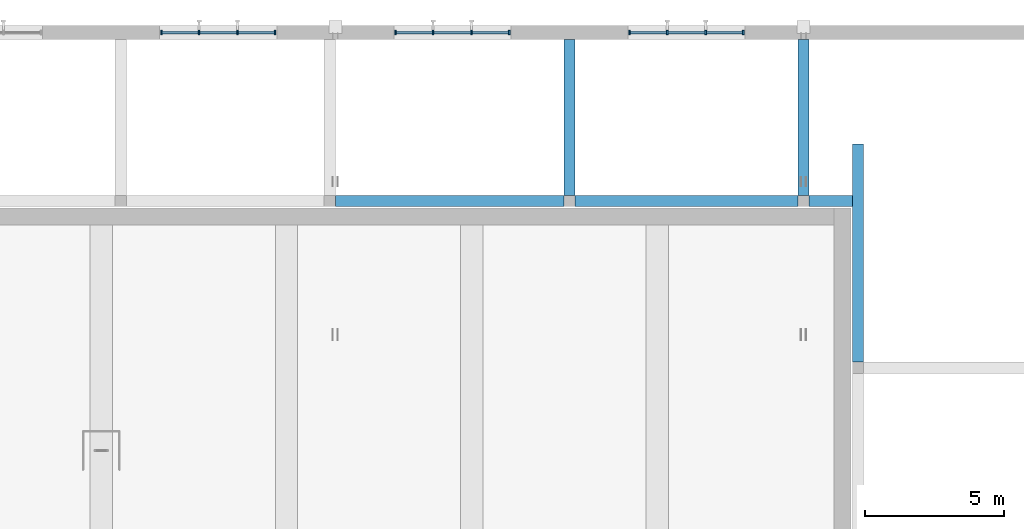
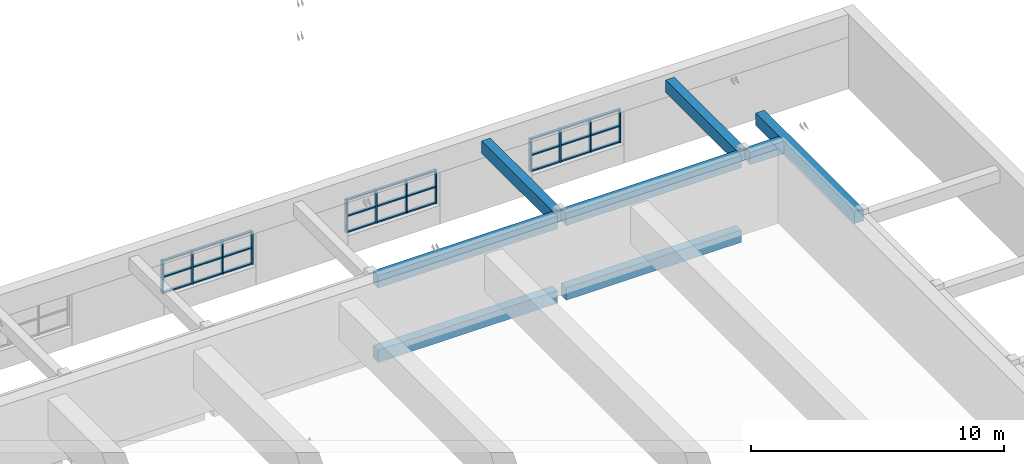
# One storey, part 8 of 28: 39 members, 8 beams, 3 elements without a shape of their own.
"""IFC4 building model written with IfcOpenShell, lengths in metres."""

import ifcopenshell
import ifcopenshell.guid

model = None  # the IFC model being written
_history = None  # IfcOwnerHistory: only IFC2X3 demands one
_inside = {}  # id of a spatial element -> (the spatial element, [elements in it])
_under = {}  # id of a project, library or spatial element -> (it, [spatial elements below it])
_declared = {}  # id of a project -> (the project, [libraries it declares])
_typed = {}  # id of a type object -> (the type object, [elements of that type])
_made_of = {}  # id of a material, layer set ... -> (it, [elements and type objects made of it])


def new_model(schema):
    """Start an empty IFC model of exactly this schema.

    Asked for "IFC4X3", IfcOpenShell would pick the latest addendum, in which some entities
    have other attributes; the version numbers below select the first issue.
    IFC2X3 requires an IfcOwnerHistory on every rooted entity: one is made here for all.
    """
    global model, _history
    if schema == "IFC4X3":
        model = ifcopenshell.file(schema_version=(4, 3, 0, 0))
    else:
        model = ifcopenshell.file(schema=schema)
    _inside.clear()
    _under.clear()
    _declared.clear()
    _typed.clear()
    _made_of.clear()
    _history = None
    if model.schema == "IFC2X3":
        org = make("IfcOrganization", Name="unknown")
        user = make(
            "IfcPersonAndOrganization",
            ThePerson=make("IfcPerson", FamilyName="unknown"),
            TheOrganization=org,
        )
        app = make(
            "IfcApplication",
            ApplicationDeveloper=org,
            Version="unknown",
            ApplicationFullName="unknown",
            ApplicationIdentifier="unknown",
        )
        _history = make(
            "IfcOwnerHistory",
            OwningUser=user,
            OwningApplication=app,
            ChangeAction="ADDED",
            CreationDate=0,
        )
    return model


def make(cls, **values):
    """One entity of the class cls with the attributes given. An attribute that is None is left unset."""
    return model.create_entity(
        cls, **{name: value for name, value in values.items() if value is not None}
    )


def rooted(cls, **values):
    """An entity with a GlobalId (a new one), such as an element, a storey or a relation."""
    return make(cls, GlobalId=ifcopenshell.guid.new(), OwnerHistory=_history, **values)


def si_unit(unit_type, name, prefix=None):
    """IfcSIUnit, for example si_unit("LENGTHUNIT", "METRE", prefix="MILLI")."""
    return make("IfcSIUnit", UnitType=unit_type, Prefix=prefix, Name=name)


def assignment(units):
    """IfcUnitAssignment: the units of a project."""
    return None if units is None else make("IfcUnitAssignment", Units=units)


def point(xyz):
    """IfcCartesianPoint."""
    return None if xyz is None else make("IfcCartesianPoint", Coordinates=xyz)


def direction(xyz):
    """IfcDirection."""
    return None if xyz is None else make("IfcDirection", DirectionRatios=xyz)


def frame(location, z_axis=None, x_axis=None):
    """IfcAxis2Placement3D, a coordinate frame: its origin and axes. An axis left out is left unset."""
    return make(
        "IfcAxis2Placement3D",
        Location=point(location),
        Axis=direction(z_axis),
        RefDirection=direction(x_axis),
    )


def frame_2d(location, x_axis=None):
    """IfcAxis2Placement2D, a coordinate frame in the plane: its origin and x axis."""
    return make(
        "IfcAxis2Placement2D", Location=point(location), RefDirection=direction(x_axis)
    )


def origin():
    """The frame at (0, 0, 0) with its axes left unset."""
    return frame((0.0, 0.0, 0.0))


def origin_2d():
    """The frame at (0, 0) in the plane with its x axis left unset."""
    return frame_2d((0.0, 0.0))


def place(relative_to, where):
    """IfcLocalPlacement: puts the frame where relative to a parent placement (None: the world)."""
    return make(
        "IfcLocalPlacement", PlacementRelTo=relative_to, RelativePlacement=where
    )


def context(
    kind, dimensions, precision=None, world=None, true_north=None, identifier=None
):
    """IfcGeometricRepresentationContext, for example the 3D "Model" context."""
    return make(
        "IfcGeometricRepresentationContext",
        ContextIdentifier=identifier,
        ContextType=kind,
        CoordinateSpaceDimension=dimensions,
        Precision=precision,
        WorldCoordinateSystem=world,
        TrueNorth=true_north,
    )


def subcontext(parent, identifier, kind, view, scale=None):
    """IfcGeometricRepresentationSubContext, for example "Body" below "Model"."""
    return make(
        "IfcGeometricRepresentationSubContext",
        ContextIdentifier=identifier,
        ContextType=kind,
        ParentContext=parent,
        TargetScale=scale,
        TargetView=view,
    )


def project(units=None, contexts=None):
    """IfcProject with its units and contexts."""
    return rooted(
        "IfcProject",
        Name="project",
        RepresentationContexts=contexts,
        UnitsInContext=assignment(units),
    )


def spatial(cls, under=None, at=None, **own):
    """A site, building, storey or space (cls), placed at a placement, below another one or the project."""
    s = rooted(cls, ObjectPlacement=at, **own)
    if under is not None:
        _under.setdefault(under.id(), (under, []))[1].append(s)
    return s


def profile(cls, at=None, kind="AREA", **sizes):
    """A parametric profile (cls). Its sizes go by their IFC names, for example OverallWidth=200.0."""
    return make(cls, ProfileType=kind, Position=at, **sizes)


def rectangle(**sizes):
    """IfcRectangleProfileDef."""
    return profile("IfcRectangleProfileDef", **sizes)


def extrude(swept, where, along, depth):
    """IfcExtrudedAreaSolid: the profile swept, set in the frame where, extruded along a direction by depth."""
    return make(
        "IfcExtrudedAreaSolid",
        SweptArea=swept,
        Position=where,
        ExtrudedDirection=direction(along),
        Depth=depth,
    )


def shape(context_of_items, identifier, shape_type, items):
    """IfcShapeRepresentation: the items that make up one representation, for example the "Body"."""
    return make(
        "IfcShapeRepresentation",
        ContextOfItems=context_of_items,
        RepresentationIdentifier=identifier,
        RepresentationType=shape_type,
        Items=items,
    )


def material(Name=None, Category=None):
    """IfcMaterial."""
    return make("IfcMaterial", Name=Name, Category=Category)


def material_profile(
    of_material, cross_section, Name=None, Category=None, Priority=None
):
    """IfcMaterialProfile: a cross section and its material."""
    return make(
        "IfcMaterialProfile",
        Name=Name,
        Material=of_material,
        Profile=cross_section,
        Priority=Priority,
        Category=Category,
    )


def profile_set(profiles, Name=None, composite=None):
    """IfcMaterialProfileSet."""
    return make(
        "IfcMaterialProfileSet",
        Name=Name,
        MaterialProfiles=profiles,
        CompositeProfile=composite,
    )


def made_of(thing, what):
    """Note that an element or type object is made of a material, layer set ...; save() writes the relation."""
    if what is not None:
        _made_of.setdefault(what.id(), (what, []))[1].append(thing)
    return thing


def type_object(cls, material=None, **own):
    """A type object (cls), such as IfcWallType, which elements share."""
    return made_of(rooted(cls, **own), material)


def element(
    cls,
    number,
    at=None,
    inside=None,
    cuts=None,
    type_object=None,
    material=None,
    context=None,
    identifier="Body",
    shape_type=None,
    held_by="IfcProductDefinitionShape",
    body=None,
    shapes=None,
    **own,
):
    """One element of the class cls, such as IfcWall. Its Tag is "e" and its number.

    at: its placement. inside: the storey or other place that contains it. cuts: it is an
    opening in that element (IfcRelVoidsElement). A single representation is given by context,
    identifier, shape_type and body (its items); several are given by shapes. held_by: the class
    of the entity that holds the representations. save() writes the other relations.
    """
    e = rooted(cls, Tag="e%d" % number, ObjectPlacement=at, **own)
    if body is not None:
        shapes = [shape(context, identifier, shape_type, body)]
    if shapes is not None:
        e.Representation = make(held_by, Representations=shapes)
    if inside is not None:
        _inside.setdefault(inside.id(), (inside, []))[1].append(e)
    if cuts is not None:
        rooted(
            "IfcRelVoidsElement", RelatingBuildingElement=cuts, RelatedOpeningElement=e
        )
    if type_object is not None:
        _typed.setdefault(type_object.id(), (type_object, []))[1].append(e)
    return made_of(e, material)


def aggregate(whole, parts):
    """IfcRelAggregates: a whole, such as a stair, and the parts it consists of."""
    return rooted("IfcRelAggregates", RelatingObject=whole, RelatedObjects=parts)


def save(model, path):
    """Write the relations noted so far, then the file.

    IfcRelAggregates (storeys below a building ...), IfcRelContainedInSpatialStructure (elements
    in a storey), IfcRelDefinesByType, IfcRelAssociatesMaterial and IfcRelDeclares: one each for
    every whole, place, type object, material and project.
    """
    for whole, parts in _under.values():
        aggregate(whole, parts)
    for where, things in _inside.values():
        rooted(
            "IfcRelContainedInSpatialStructure",
            RelatedElements=things,
            RelatingStructure=where,
        )
    for kind, things in _typed.values():
        rooted("IfcRelDefinesByType", RelatedObjects=things, RelatingType=kind)
    for what, things in _made_of.values():
        rooted("IfcRelAssociatesMaterial", RelatedObjects=things, RelatingMaterial=what)
    for by, libraries in _declared.values():
        rooted("IfcRelDeclares", RelatingContext=by, RelatedDefinitions=libraries)
    model.write(path)


model = new_model("IFC4")

# Units and contexts
model_context = context("Model", 3, precision=1e-05, world=origin(), true_north=direction((0.0, 1.0)))
body_context = subcontext(model_context, "Body", "Model", "MODEL_VIEW")
ifc_project = project(units=[si_unit("LENGTHUNIT", "METRE"), si_unit("AREAUNIT", "SQUARE_METRE"), si_unit("VOLUMEUNIT", "CUBIC_METRE"), si_unit("PLANEANGLEUNIT", "RADIAN"), si_unit("MASSUNIT", "GRAM", prefix="KILO")], contexts=[model_context])

# Site, building, storey
site_placement = place(None, origin())
site = spatial("IfcSite", under=ifc_project, at=site_placement, CompositionType="ELEMENT")
building_placement = place(site_placement, origin())
building = spatial("IfcBuilding", under=site, at=building_placement, Name="Ljudholm Concert House", CompositionType="ELEMENT")
storey_placement = place(building_placement, frame((0.0, 0.0, 19.199951171875)))
storey = spatial("IfcBuildingStorey", under=building, at=storey_placement, Name="L04", CompositionType="ELEMENT", Elevation=19.199951171875)

# Curtain wall, members
ifc_material_1 = material(Name="Aluminium curtain wall with impact-rated laminated glass", Category="aluminium")
curtain_wall_type = type_object("IfcCurtainWallType", Name="CURTAIN WALL 1400", PredefinedType="NOTDEFINED", material=ifc_material_1)
curtain_wall_1_placement = place(storey_placement, origin())
curtain_wall_1 = element("IfcCurtainWall", 1, at=curtain_wall_1_placement, inside=storey, type_object=curtain_wall_type, Name="Promenade curtain wall", PredefinedType="NOTDEFINED")
ifc_material_2 = material(Name="Aluminium extrusion", Category="aluminium")
ifc_material_profile_1 = material_profile(ifc_material_2, rectangle(XDim=0.159912109375, YDim=0.06005859375, at=origin_2d()), Name="MULLION 60x160")
ifc_profile_set_1 = profile_set([ifc_material_profile_1], Name="Aluminium extrusion")
member_type_1 = type_object("IfcMemberType", Name="MULLION 60x160", PredefinedType="MULLION", material=ifc_profile_set_1)
member_1_placement = place(storey_placement, frame((64.9599609375, 96.39990234375, 0.900146484375), z_axis=(0.0, 0.0, 1.0), x_axis=(0.0, 1.0, 0.0)))
member_1 = element("IfcMember", 2, at=member_1_placement, type_object=member_type_1, Name="Mullion", PredefinedType="MULLION", context=body_context, shape_type="SweptSolid", body=[
    extrude(rectangle(XDim=0.159912109375, YDim=0.06005859375, at=origin_2d()), origin(), (0.0, 0.0, 1.0), 1.599853515625),
])
member_2_placement = place(storey_placement, frame((66.31005859375, 96.39990234375, 0.900146484375), z_axis=(0.0, 0.0, 1.0), x_axis=(0.0, 1.0, 0.0)))
member_2 = element("IfcMember", 3, at=member_2_placement, type_object=member_type_1, Name="Mullion", PredefinedType="MULLION", context=body_context, shape_type="SweptSolid", body=[
    extrude(rectangle(XDim=0.159912109375, YDim=0.06005859375, at=origin_2d()), origin(), (0.0, 0.0, 1.0), 1.599853515625),
])
member_3_placement = place(storey_placement, frame((67.68994140625, 96.39990234375, 0.900146484375), z_axis=(0.0, 0.0, 1.0), x_axis=(0.0, 1.0, 0.0)))
member_3 = element("IfcMember", 4, at=member_3_placement, type_object=member_type_1, Name="Mullion", PredefinedType="MULLION", context=body_context, shape_type="SweptSolid", body=[
    extrude(rectangle(XDim=0.159912109375, YDim=0.06005859375, at=origin_2d()), origin(), (0.0, 0.0, 1.0), 1.599853515625),
])
member_4_placement = place(storey_placement, frame((69.0400390625, 96.39990234375, 0.900146484375), z_axis=(0.0, 0.0, 1.0), x_axis=(0.0, 1.0, 0.0)))
member_4 = element("IfcMember", 5, at=member_4_placement, type_object=member_type_1, Name="Mullion", PredefinedType="MULLION", context=body_context, shape_type="SweptSolid", body=[
    extrude(rectangle(XDim=0.159912109375, YDim=0.06005859375, at=origin_2d()), origin(), (0.0, 0.0, 1.0), 1.599853515625),
])

curtain_wall_2_placement = place(storey_placement, origin())
curtain_wall_2 = element("IfcCurtainWall", 6, at=curtain_wall_2_placement, inside=storey, type_object=curtain_wall_type, Name="Promenade curtain wall", PredefinedType="NOTDEFINED")
member_5_placement = place(storey_placement, frame((73.360107421875, 96.39990234375, 0.900146484375), z_axis=(0.0, 0.0, 1.0), x_axis=(0.0, 1.0, 0.0)))
member_5 = element("IfcMember", 7, at=member_5_placement, type_object=member_type_1, Name="Mullion", PredefinedType="MULLION", context=body_context, shape_type="SweptSolid", body=[
    extrude(rectangle(XDim=0.159912109375, YDim=0.06005859375, at=origin_2d()), origin(), (0.0, 0.0, 1.0), 1.599853515625),
])
member_6_placement = place(storey_placement, frame((74.7099609375, 96.39990234375, 0.900146484375), z_axis=(0.0, 0.0, 1.0), x_axis=(0.0, 1.0, 0.0)))
member_6 = element("IfcMember", 8, at=member_6_placement, type_object=member_type_1, Name="Mullion", PredefinedType="MULLION", context=body_context, shape_type="SweptSolid", body=[
    extrude(rectangle(XDim=0.159912109375, YDim=0.06005859375, at=origin_2d()), origin(), (0.0, 0.0, 1.0), 1.599853515625),
])
member_7_placement = place(storey_placement, frame((76.090087890625, 96.39990234375, 0.900146484375), z_axis=(0.0, 0.0, 1.0), x_axis=(0.0, 1.0, 0.0)))
member_7 = element("IfcMember", 9, at=member_7_placement, type_object=member_type_1, Name="Mullion", PredefinedType="MULLION", context=body_context, shape_type="SweptSolid", body=[
    extrude(rectangle(XDim=0.159912109375, YDim=0.06005859375, at=origin_2d()), origin(), (0.0, 0.0, 1.0), 1.599853515625),
])
member_8_placement = place(storey_placement, frame((77.43994140625, 96.39990234375, 0.900146484375), z_axis=(0.0, 0.0, 1.0), x_axis=(0.0, 1.0, 0.0)))
member_8 = element("IfcMember", 10, at=member_8_placement, type_object=member_type_1, Name="Mullion", PredefinedType="MULLION", context=body_context, shape_type="SweptSolid", body=[
    extrude(rectangle(XDim=0.159912109375, YDim=0.06005859375, at=origin_2d()), origin(), (0.0, 0.0, 1.0), 1.599853515625),
])

curtain_wall_3_placement = place(storey_placement, origin())
curtain_wall_3 = element("IfcCurtainWall", 11, at=curtain_wall_3_placement, inside=storey, type_object=curtain_wall_type, Name="Promenade curtain wall", PredefinedType="NOTDEFINED")
member_9_placement = place(storey_placement, frame((81.760009765625, 96.39990234375, 0.900146484375), z_axis=(0.0, 0.0, 1.0), x_axis=(0.0, 1.0, 0.0)))
member_9 = element("IfcMember", 12, at=member_9_placement, type_object=member_type_1, Name="Mullion", PredefinedType="MULLION", context=body_context, shape_type="SweptSolid", body=[
    extrude(rectangle(XDim=0.159912109375, YDim=0.06005859375, at=origin_2d()), origin(), (0.0, 0.0, 1.0), 1.599853515625),
])
member_10_placement = place(storey_placement, frame((83.110107421875, 96.39990234375, 0.900146484375), z_axis=(0.0, 0.0, 1.0), x_axis=(0.0, 1.0, 0.0)))
member_10 = element("IfcMember", 13, at=member_10_placement, type_object=member_type_1, Name="Mullion", PredefinedType="MULLION", context=body_context, shape_type="SweptSolid", body=[
    extrude(rectangle(XDim=0.159912109375, YDim=0.06005859375, at=origin_2d()), origin(), (0.0, 0.0, 1.0), 1.599853515625),
])
member_11_placement = place(storey_placement, frame((84.489990234375, 96.39990234375, 0.900146484375), z_axis=(0.0, 0.0, 1.0), x_axis=(0.0, 1.0, 0.0)))
member_11 = element("IfcMember", 14, at=member_11_placement, type_object=member_type_1, Name="Mullion", PredefinedType="MULLION", context=body_context, shape_type="SweptSolid", body=[
    extrude(rectangle(XDim=0.159912109375, YDim=0.06005859375, at=origin_2d()), origin(), (0.0, 0.0, 1.0), 1.599853515625),
])
member_12_placement = place(storey_placement, frame((85.840087890625, 96.39990234375, 0.900146484375), z_axis=(0.0, 0.0, 1.0), x_axis=(0.0, 1.0, 0.0)))
member_12 = element("IfcMember", 15, at=member_12_placement, type_object=member_type_1, Name="Mullion", PredefinedType="MULLION", context=body_context, shape_type="SweptSolid", body=[
    extrude(rectangle(XDim=0.159912109375, YDim=0.06005859375, at=origin_2d()), origin(), (0.0, 0.0, 1.0), 1.599853515625),
])

# Beams
ifc_material_3 = material(Name="Concrete 6,500 psi", Category="concrete")
ifc_material_profile_2 = material_profile(ifc_material_3, rectangle(XDim=0.39990234375, YDim=0.60009765625, at=origin_2d()), Name="RC BEAM 400x600")
ifc_profile_set_2 = profile_set([ifc_material_profile_2], Name="Concrete 6,500 psi")
beam_type = type_object("IfcBeamType", Name="RC BEAM 400x600", PredefinedType="BEAM", material=ifc_profile_set_2)
beam_1_placement = place(storey_placement, frame((71.199951171875, 90.35009765625, -0.550048828125), z_axis=(1.0, 0.0, 0.0), x_axis=(0.0, 1.0, 0.0)))
element("IfcBeam", 16, at=beam_1_placement, inside=storey, type_object=beam_type, Name="Ring beam", PredefinedType="BEAM", context=body_context, shape_type="SweptSolid", body=[
    extrude(rectangle(XDim=0.39990234375, YDim=0.60009765625, at=origin_2d()), origin(), (0.0, 0.0, 1.0), 8.199951171875),
])
beam_2_placement = place(storey_placement, frame((79.800048828125, 90.35009765625, -0.550048828125), z_axis=(1.0, 0.0, 0.0), x_axis=(0.0, 1.0, 0.0)))
element("IfcBeam", 17, at=beam_2_placement, inside=storey, type_object=beam_type, Name="Ring beam", PredefinedType="BEAM", context=body_context, shape_type="SweptSolid", body=[
    extrude(rectangle(XDim=0.39990234375, YDim=0.60009765625, at=origin_2d()), origin(), (0.0, 0.0, 1.0), 8.0),
])
beam_3_placement = place(storey_placement, frame((71.199951171875, 90.35009765625, 3.050048828125), z_axis=(1.0, 0.0, 0.0), x_axis=(0.0, 1.0, 0.0)))
element("IfcBeam", 18, at=beam_3_placement, inside=storey, type_object=beam_type, Name="Ring beam", PredefinedType="BEAM", context=body_context, shape_type="SweptSolid", body=[
    extrude(rectangle(XDim=0.39990234375, YDim=0.60009765625, at=origin_2d()), origin(), (0.0, 0.0, 1.0), 8.199951171875),
])
beam_4_placement = place(storey_placement, frame((79.800048828125, 90.35009765625, 3.050048828125), z_axis=(1.0, 0.0, 0.0), x_axis=(0.0, 1.0, 0.0)))
element("IfcBeam", 19, at=beam_4_placement, inside=storey, type_object=beam_type, Name="Ring beam", PredefinedType="BEAM", context=body_context, shape_type="SweptSolid", body=[
    extrude(rectangle(XDim=0.39990234375, YDim=0.60009765625, at=origin_2d()), origin(), (0.0, 0.0, 1.0), 8.0),
])
for number, where, z_axis, x_axis, name in (
    (20, (79.60009765625, 90.550048828125, 3.050048828125), (0.0, 1.0, 0.0), (-1.0, 0.0, 0.0), "Ring cross beam"),
    (21, (88.0, 90.550048828125, 3.050048828125), (0.0, 1.0, 0.0), (-1.0, 0.0, 0.0), "Ring cross beam"),
):
    element("IfcBeam", number, at=place(storey_placement, frame(where, z_axis=z_axis, x_axis=x_axis)), inside=storey, type_object=beam_type, Name=name, PredefinedType="BEAM", context=body_context, shape_type="SweptSolid", body=[
        extrude(rectangle(XDim=0.39990234375, YDim=0.60009765625, at=origin_2d()), origin(), (0.0, 0.0, 1.0), 5.599853515625),
    ])
beam_5_placement = place(storey_placement, frame((88.199951171875, 90.35009765625, 3.050048828125), z_axis=(1.0, 0.0, 0.0), x_axis=(0.0, 1.0, 0.0)))
element("IfcBeam", 22, at=beam_5_placement, inside=storey, type_object=beam_type, Name="Ring beam", PredefinedType="BEAM", context=body_context, shape_type="SweptSolid", body=[
    extrude(rectangle(XDim=0.39990234375, YDim=0.60009765625, at=origin_2d()), origin(), (0.0, 0.0, 1.0), 1.550048828125),
])
beam_6_placement = place(storey_placement, frame((89.949951171875, 84.570068359375, 3.050048828125), z_axis=(0.0, 1.0, 0.0), x_axis=(-1.0, 0.0, 0.0)))
element("IfcBeam", 23, at=beam_6_placement, inside=storey, type_object=beam_type, Name="Ring beam", PredefinedType="BEAM", context=body_context, shape_type="SweptSolid", body=[
    extrude(rectangle(XDim=0.39990234375, YDim=0.60009765625, at=origin_2d()), origin(), (0.0, 0.0, 1.0), 7.829833984375),
])

# Member
ifc_material_4 = material(Name="Aluminium extrusion", Category="aluminium")
ifc_material_profile_3 = material_profile(ifc_material_4, rectangle(XDim=0.1201171875, YDim=0.06005859375, at=origin_2d()), Name="TRANSOM 60x120")
ifc_profile_set_3 = profile_set([ifc_material_profile_3], Name="Aluminium extrusion")
member_type_2 = type_object("IfcMemberType", Name="TRANSOM 60x120", PredefinedType="USERDEFINED", material=ifc_profile_set_3)
member_13_placement = place(storey_placement, frame((64.989990234375, 96.39990234375, 0.929931640625), z_axis=(1.0, 0.0, 0.0), x_axis=(0.0, 1.0, 0.0)))
member_13 = element("IfcMember", 24, at=member_13_placement, type_object=member_type_2, Name="Transom", ObjectType="TRANSOM", PredefinedType="USERDEFINED", context=body_context, shape_type="SweptSolid", body=[
    extrude(rectangle(XDim=0.1201171875, YDim=0.06005859375, at=origin_2d()), origin(), (0.0, 0.0, 1.0), 1.2900390625),
])

member_14_placement = place(storey_placement, frame((64.989990234375, 96.39990234375, 1.699951171875), z_axis=(1.0, 0.0, 0.0), x_axis=(0.0, 1.0, 0.0)))
member_14 = element("IfcMember", 25, at=member_14_placement, type_object=member_type_2, Name="Transom", ObjectType="TRANSOM", PredefinedType="USERDEFINED", context=body_context, shape_type="SweptSolid", body=[
    extrude(rectangle(XDim=0.1201171875, YDim=0.06005859375, at=origin_2d()), origin(), (0.0, 0.0, 1.0), 1.2900390625),
])

member_15_placement = place(storey_placement, frame((64.989990234375, 96.39990234375, 2.469970703125), z_axis=(1.0, 0.0, 0.0), x_axis=(0.0, 1.0, 0.0)))
member_15 = element("IfcMember", 26, at=member_15_placement, type_object=member_type_2, Name="Transom", ObjectType="TRANSOM", PredefinedType="USERDEFINED", context=body_context, shape_type="SweptSolid", body=[
    extrude(rectangle(XDim=0.1201171875, YDim=0.06005859375, at=origin_2d()), origin(), (0.0, 0.0, 1.0), 1.2900390625),
])

member_16_placement = place(storey_placement, frame((66.340087890625, 96.39990234375, 0.929931640625), z_axis=(1.0, 0.0, 0.0), x_axis=(0.0, 1.0, 0.0)))
member_16 = element("IfcMember", 27, at=member_16_placement, type_object=member_type_2, Name="Transom", ObjectType="TRANSOM", PredefinedType="USERDEFINED", context=body_context, shape_type="SweptSolid", body=[
    extrude(rectangle(XDim=0.1201171875, YDim=0.06005859375, at=origin_2d()), origin(), (0.0, 0.0, 1.0), 1.31982421875),
])

member_17_placement = place(storey_placement, frame((66.340087890625, 96.39990234375, 1.699951171875), z_axis=(1.0, 0.0, 0.0), x_axis=(0.0, 1.0, 0.0)))
member_17 = element("IfcMember", 28, at=member_17_placement, type_object=member_type_2, Name="Transom", ObjectType="TRANSOM", PredefinedType="USERDEFINED", context=body_context, shape_type="SweptSolid", body=[
    extrude(rectangle(XDim=0.1201171875, YDim=0.06005859375, at=origin_2d()), origin(), (0.0, 0.0, 1.0), 1.31982421875),
])

member_18_placement = place(storey_placement, frame((66.340087890625, 96.39990234375, 2.469970703125), z_axis=(1.0, 0.0, 0.0), x_axis=(0.0, 1.0, 0.0)))
member_18 = element("IfcMember", 29, at=member_18_placement, type_object=member_type_2, Name="Transom", ObjectType="TRANSOM", PredefinedType="USERDEFINED", context=body_context, shape_type="SweptSolid", body=[
    extrude(rectangle(XDim=0.1201171875, YDim=0.06005859375, at=origin_2d()), origin(), (0.0, 0.0, 1.0), 1.31982421875),
])

member_19_placement = place(storey_placement, frame((67.719970703125, 96.39990234375, 0.929931640625), z_axis=(1.0, 0.0, 0.0), x_axis=(0.0, 1.0, 0.0)))
member_19 = element("IfcMember", 30, at=member_19_placement, type_object=member_type_2, Name="Transom", ObjectType="TRANSOM", PredefinedType="USERDEFINED", context=body_context, shape_type="SweptSolid", body=[
    extrude(rectangle(XDim=0.1201171875, YDim=0.06005859375, at=origin_2d()), origin(), (0.0, 0.0, 1.0), 1.2900390625),
])

member_20_placement = place(storey_placement, frame((67.719970703125, 96.39990234375, 1.699951171875), z_axis=(1.0, 0.0, 0.0), x_axis=(0.0, 1.0, 0.0)))
member_20 = element("IfcMember", 31, at=member_20_placement, type_object=member_type_2, Name="Transom", ObjectType="TRANSOM", PredefinedType="USERDEFINED", context=body_context, shape_type="SweptSolid", body=[
    extrude(rectangle(XDim=0.1201171875, YDim=0.06005859375, at=origin_2d()), origin(), (0.0, 0.0, 1.0), 1.2900390625),
])

member_21_placement = place(storey_placement, frame((67.719970703125, 96.39990234375, 2.469970703125), z_axis=(1.0, 0.0, 0.0), x_axis=(0.0, 1.0, 0.0)))
member_21 = element("IfcMember", 32, at=member_21_placement, type_object=member_type_2, Name="Transom", ObjectType="TRANSOM", PredefinedType="USERDEFINED", context=body_context, shape_type="SweptSolid", body=[
    extrude(rectangle(XDim=0.1201171875, YDim=0.06005859375, at=origin_2d()), origin(), (0.0, 0.0, 1.0), 1.2900390625),
])

aggregate(curtain_wall_1, [member_1, member_2, member_3, member_4, member_13, member_14, member_15, member_16, member_17, member_18, member_19, member_20, member_21])

member_22_placement = place(storey_placement, frame((73.389892578125, 96.39990234375, 0.929931640625), z_axis=(1.0, 0.0, 0.0), x_axis=(0.0, 1.0, 0.0)))
member_22 = element("IfcMember", 33, at=member_22_placement, type_object=member_type_2, Name="Transom", ObjectType="TRANSOM", PredefinedType="USERDEFINED", context=body_context, shape_type="SweptSolid", body=[
    extrude(rectangle(XDim=0.1201171875, YDim=0.06005859375, at=origin_2d()), origin(), (0.0, 0.0, 1.0), 1.2900390625),
])

member_23_placement = place(storey_placement, frame((73.389892578125, 96.39990234375, 1.699951171875), z_axis=(1.0, 0.0, 0.0), x_axis=(0.0, 1.0, 0.0)))
member_23 = element("IfcMember", 34, at=member_23_placement, type_object=member_type_2, Name="Transom", ObjectType="TRANSOM", PredefinedType="USERDEFINED", context=body_context, shape_type="SweptSolid", body=[
    extrude(rectangle(XDim=0.1201171875, YDim=0.06005859375, at=origin_2d()), origin(), (0.0, 0.0, 1.0), 1.2900390625),
])

member_24_placement = place(storey_placement, frame((73.389892578125, 96.39990234375, 2.469970703125), z_axis=(1.0, 0.0, 0.0), x_axis=(0.0, 1.0, 0.0)))
member_24 = element("IfcMember", 35, at=member_24_placement, type_object=member_type_2, Name="Transom", ObjectType="TRANSOM", PredefinedType="USERDEFINED", context=body_context, shape_type="SweptSolid", body=[
    extrude(rectangle(XDim=0.1201171875, YDim=0.06005859375, at=origin_2d()), origin(), (0.0, 0.0, 1.0), 1.2900390625),
])

member_25_placement = place(storey_placement, frame((74.739990234375, 96.39990234375, 0.929931640625), z_axis=(1.0, 0.0, 0.0), x_axis=(0.0, 1.0, 0.0)))
member_25 = element("IfcMember", 36, at=member_25_placement, type_object=member_type_2, Name="Transom", ObjectType="TRANSOM", PredefinedType="USERDEFINED", context=body_context, shape_type="SweptSolid", body=[
    extrude(rectangle(XDim=0.1201171875, YDim=0.06005859375, at=origin_2d()), origin(), (0.0, 0.0, 1.0), 1.320068359375),
])

member_26_placement = place(storey_placement, frame((74.739990234375, 96.39990234375, 1.699951171875), z_axis=(1.0, 0.0, 0.0), x_axis=(0.0, 1.0, 0.0)))
member_26 = element("IfcMember", 37, at=member_26_placement, type_object=member_type_2, Name="Transom", ObjectType="TRANSOM", PredefinedType="USERDEFINED", context=body_context, shape_type="SweptSolid", body=[
    extrude(rectangle(XDim=0.1201171875, YDim=0.06005859375, at=origin_2d()), origin(), (0.0, 0.0, 1.0), 1.320068359375),
])

member_27_placement = place(storey_placement, frame((74.739990234375, 96.39990234375, 2.469970703125), z_axis=(1.0, 0.0, 0.0), x_axis=(0.0, 1.0, 0.0)))
member_27 = element("IfcMember", 38, at=member_27_placement, type_object=member_type_2, Name="Transom", ObjectType="TRANSOM", PredefinedType="USERDEFINED", context=body_context, shape_type="SweptSolid", body=[
    extrude(rectangle(XDim=0.1201171875, YDim=0.06005859375, at=origin_2d()), origin(), (0.0, 0.0, 1.0), 1.320068359375),
])

member_28_placement = place(storey_placement, frame((76.1201171875, 96.39990234375, 0.929931640625), z_axis=(1.0, 0.0, 0.0), x_axis=(0.0, 1.0, 0.0)))
member_28 = element("IfcMember", 39, at=member_28_placement, type_object=member_type_2, Name="Transom", ObjectType="TRANSOM", PredefinedType="USERDEFINED", context=body_context, shape_type="SweptSolid", body=[
    extrude(rectangle(XDim=0.1201171875, YDim=0.06005859375, at=origin_2d()), origin(), (0.0, 0.0, 1.0), 1.289794921875),
])

member_29_placement = place(storey_placement, frame((76.1201171875, 96.39990234375, 1.699951171875), z_axis=(1.0, 0.0, 0.0), x_axis=(0.0, 1.0, 0.0)))
member_29 = element("IfcMember", 40, at=member_29_placement, type_object=member_type_2, Name="Transom", ObjectType="TRANSOM", PredefinedType="USERDEFINED", context=body_context, shape_type="SweptSolid", body=[
    extrude(rectangle(XDim=0.1201171875, YDim=0.06005859375, at=origin_2d()), origin(), (0.0, 0.0, 1.0), 1.289794921875),
])

member_30_placement = place(storey_placement, frame((76.1201171875, 96.39990234375, 2.469970703125), z_axis=(1.0, 0.0, 0.0), x_axis=(0.0, 1.0, 0.0)))
member_30 = element("IfcMember", 41, at=member_30_placement, type_object=member_type_2, Name="Transom", ObjectType="TRANSOM", PredefinedType="USERDEFINED", context=body_context, shape_type="SweptSolid", body=[
    extrude(rectangle(XDim=0.1201171875, YDim=0.06005859375, at=origin_2d()), origin(), (0.0, 0.0, 1.0), 1.289794921875),
])

aggregate(curtain_wall_2, [member_5, member_6, member_7, member_8, member_22, member_23, member_24, member_25, member_26, member_27, member_28, member_29, member_30])

member_31_placement = place(storey_placement, frame((81.7900390625, 96.39990234375, 0.929931640625), z_axis=(1.0, 0.0, 0.0), x_axis=(0.0, 1.0, 0.0)))
member_31 = element("IfcMember", 42, at=member_31_placement, type_object=member_type_2, Name="Transom", ObjectType="TRANSOM", PredefinedType="USERDEFINED", context=body_context, shape_type="SweptSolid", body=[
    extrude(rectangle(XDim=0.1201171875, YDim=0.06005859375, at=origin_2d()), origin(), (0.0, 0.0, 1.0), 1.2900390625),
])

member_32_placement = place(storey_placement, frame((81.7900390625, 96.39990234375, 1.699951171875), z_axis=(1.0, 0.0, 0.0), x_axis=(0.0, 1.0, 0.0)))
member_32 = element("IfcMember", 43, at=member_32_placement, type_object=member_type_2, Name="Transom", ObjectType="TRANSOM", PredefinedType="USERDEFINED", context=body_context, shape_type="SweptSolid", body=[
    extrude(rectangle(XDim=0.1201171875, YDim=0.06005859375, at=origin_2d()), origin(), (0.0, 0.0, 1.0), 1.2900390625),
])

member_33_placement = place(storey_placement, frame((81.7900390625, 96.39990234375, 2.469970703125), z_axis=(1.0, 0.0, 0.0), x_axis=(0.0, 1.0, 0.0)))
member_33 = element("IfcMember", 44, at=member_33_placement, type_object=member_type_2, Name="Transom", ObjectType="TRANSOM", PredefinedType="USERDEFINED", context=body_context, shape_type="SweptSolid", body=[
    extrude(rectangle(XDim=0.1201171875, YDim=0.06005859375, at=origin_2d()), origin(), (0.0, 0.0, 1.0), 1.2900390625),
])

member_34_placement = place(storey_placement, frame((83.139892578125, 96.39990234375, 0.929931640625), z_axis=(1.0, 0.0, 0.0), x_axis=(0.0, 1.0, 0.0)))
member_34 = element("IfcMember", 45, at=member_34_placement, type_object=member_type_2, Name="Transom", ObjectType="TRANSOM", PredefinedType="USERDEFINED", context=body_context, shape_type="SweptSolid", body=[
    extrude(rectangle(XDim=0.1201171875, YDim=0.06005859375, at=origin_2d()), origin(), (0.0, 0.0, 1.0), 1.320068359375),
])

member_35_placement = place(storey_placement, frame((83.139892578125, 96.39990234375, 1.699951171875), z_axis=(1.0, 0.0, 0.0), x_axis=(0.0, 1.0, 0.0)))
member_35 = element("IfcMember", 46, at=member_35_placement, type_object=member_type_2, Name="Transom", ObjectType="TRANSOM", PredefinedType="USERDEFINED", context=body_context, shape_type="SweptSolid", body=[
    extrude(rectangle(XDim=0.1201171875, YDim=0.06005859375, at=origin_2d()), origin(), (0.0, 0.0, 1.0), 1.320068359375),
])

member_36_placement = place(storey_placement, frame((83.139892578125, 96.39990234375, 2.469970703125), z_axis=(1.0, 0.0, 0.0), x_axis=(0.0, 1.0, 0.0)))
member_36 = element("IfcMember", 47, at=member_36_placement, type_object=member_type_2, Name="Transom", ObjectType="TRANSOM", PredefinedType="USERDEFINED", context=body_context, shape_type="SweptSolid", body=[
    extrude(rectangle(XDim=0.1201171875, YDim=0.06005859375, at=origin_2d()), origin(), (0.0, 0.0, 1.0), 1.320068359375),
])

member_37_placement = place(storey_placement, frame((84.52001953125, 96.39990234375, 0.929931640625), z_axis=(1.0, 0.0, 0.0), x_axis=(0.0, 1.0, 0.0)))
member_37 = element("IfcMember", 48, at=member_37_placement, type_object=member_type_2, Name="Transom", ObjectType="TRANSOM", PredefinedType="USERDEFINED", context=body_context, shape_type="SweptSolid", body=[
    extrude(rectangle(XDim=0.1201171875, YDim=0.06005859375, at=origin_2d()), origin(), (0.0, 0.0, 1.0), 1.2900390625),
])

member_38_placement = place(storey_placement, frame((84.52001953125, 96.39990234375, 1.699951171875), z_axis=(1.0, 0.0, 0.0), x_axis=(0.0, 1.0, 0.0)))
member_38 = element("IfcMember", 49, at=member_38_placement, type_object=member_type_2, Name="Transom", ObjectType="TRANSOM", PredefinedType="USERDEFINED", context=body_context, shape_type="SweptSolid", body=[
    extrude(rectangle(XDim=0.1201171875, YDim=0.06005859375, at=origin_2d()), origin(), (0.0, 0.0, 1.0), 1.2900390625),
])

member_39_placement = place(storey_placement, frame((84.52001953125, 96.39990234375, 2.469970703125), z_axis=(1.0, 0.0, 0.0), x_axis=(0.0, 1.0, 0.0)))
member_39 = element("IfcMember", 50, at=member_39_placement, type_object=member_type_2, Name="Transom", ObjectType="TRANSOM", PredefinedType="USERDEFINED", context=body_context, shape_type="SweptSolid", body=[
    extrude(rectangle(XDim=0.1201171875, YDim=0.06005859375, at=origin_2d()), origin(), (0.0, 0.0, 1.0), 1.2900390625),
])

aggregate(curtain_wall_3, [member_9, member_10, member_11, member_12, member_31, member_32, member_33, member_34, member_35, member_36, member_37, member_38, member_39])

save(model, "model.ifc")
